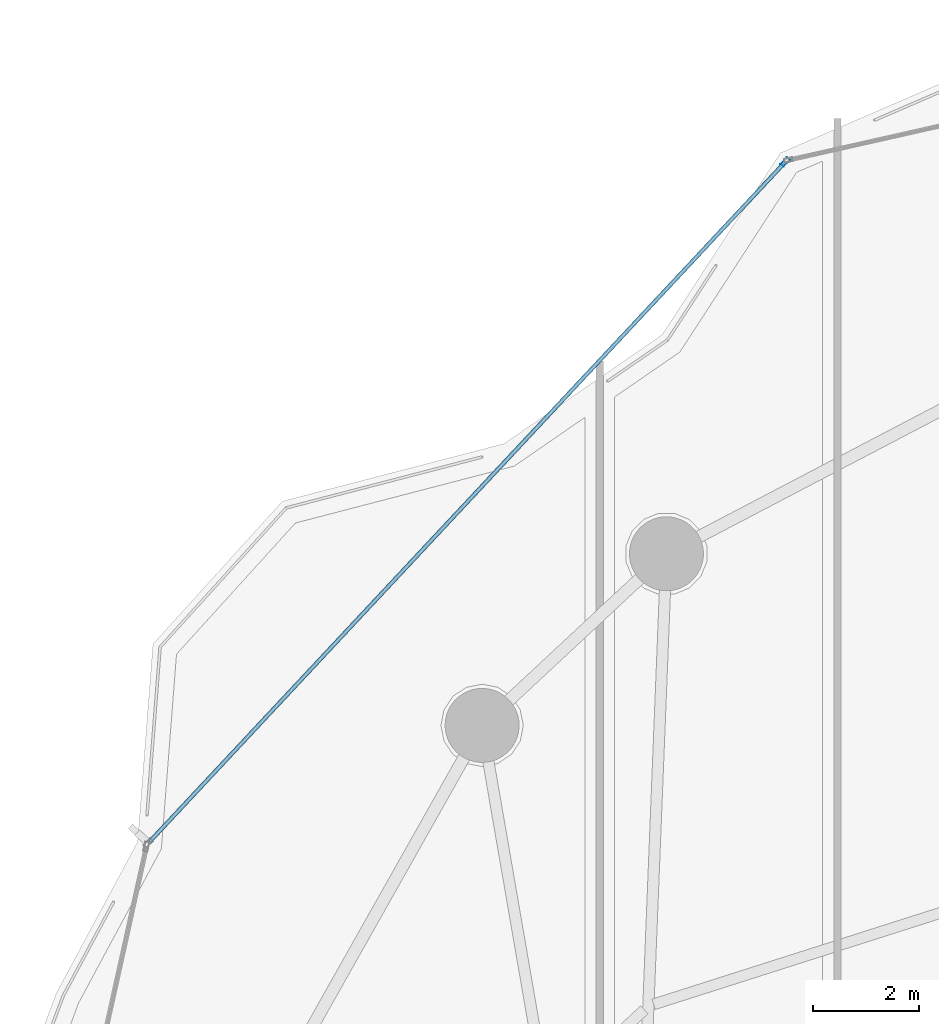
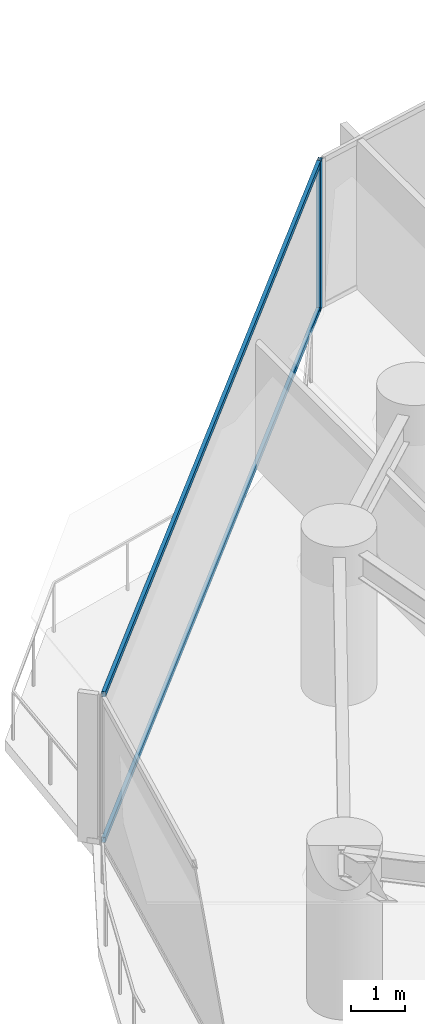
# One storey, part 16 of 33: 3 members, 1 element without a shape of its own.
"""IFC4 building model written with IfcOpenShell, lengths in metres."""

from ifc_helpers import new_model, si_unit, direction, frame, origin, origin_2d, place, context, subcontext, project, spatial, hollow_rectangle, extrude, material, layer, layer_set, material_profile, profile_set, type_object, element, aggregate, save


model = new_model("IFC4")

# Units and contexts
model_context = context("Model", 3, precision=1e-05, world=origin(), true_north=direction((0.0, 1.0)))
body_context = subcontext(model_context, "Body", "Model", "MODEL_VIEW")
ifc_project = project(units=[si_unit("LENGTHUNIT", "METRE"), si_unit("AREAUNIT", "SQUARE_METRE"), si_unit("VOLUMEUNIT", "CUBIC_METRE"), si_unit("PLANEANGLEUNIT", "RADIAN"), si_unit("MASSUNIT", "GRAM", prefix="KILO")], contexts=[model_context])

# Site, building, storey
site_placement = place(None, origin())
site = spatial("IfcSite", under=ifc_project, at=site_placement, CompositionType="ELEMENT")
building_placement = place(site_placement, origin())
building = spatial("IfcBuilding", under=site, at=building_placement, Name="Kazevale Care Tower and Concert Hall", CompositionType="ELEMENT")
storey_placement = place(building_placement, frame((0.0, 0.0, 49.199951171875)))
storey = spatial("IfcBuildingStorey", under=building, at=storey_placement, Name="L12", CompositionType="ELEMENT", Elevation=49.199951171875)

# Curtain wall, members
ifc_material_1 = material(Name="Aluminium 6063-T6 and Low-E Glass", Category="aluminium")
ifc_layer = layer(ifc_material_1, 0.179931640625)
ifc_layer_set = layer_set([ifc_layer], Name="Aluminium 6063-T6 and Low-E Glass")
curtain_wall_type = type_object("IfcCurtainWallType", Name="Convex Checkerboard Finned Curtain Wall CW-2", PredefinedType="NOTDEFINED", material=ifc_layer_set)
curtain_wall_placement = place(storey_placement, origin())
curtain_wall = element("IfcCurtainWall", 1, at=curtain_wall_placement, inside=storey, type_object=curtain_wall_type, Name="cw:L12:f14", PredefinedType="NOTDEFINED")
ifc_material_2 = material(Name="Aluminium 6063-T6", Category="aluminium")
ifc_material_profile_1 = material_profile(ifc_material_2, hollow_rectangle(XDim=0.080078125, YDim=0.179931640625, WallThickness=0.0048828125, at=origin_2d()), Name="ALU80x180x5")
ifc_profile_set_1 = profile_set([ifc_material_profile_1], Name="Aluminium 6063-T6")
member_type_1 = type_object("IfcMemberType", Name="CW-2 Mullion ALU80x180x5", PredefinedType="MULLION", material=ifc_profile_set_1)
member_1_placement = place(storey_placement, frame((25.009765625, 62.847900390625, 0.0), z_axis=(0.0, 0.0, 1.0), x_axis=(-0.730363049987, 0.683059159381, 0.0)))
member_1 = element("IfcMember", 2, at=member_1_placement, type_object=member_type_1, Name="CW-2 mullion 2", PredefinedType="MULLION", context=body_context, shape_type="SweptSolid", body=[
    extrude(hollow_rectangle(XDim=0.080078125, YDim=0.179931640625, WallThickness=0.0048828125, at=origin_2d()), origin(), (0.0, 0.0, 1.0), 3.360107421875),
])
ifc_material_profile_2 = material_profile(ifc_material_2, hollow_rectangle(XDim=0.074951171875, YDim=0.1201171875, WallThickness=0.00390625, at=origin_2d()), Name="ALU75x120x4")
ifc_profile_set_2 = profile_set([ifc_material_profile_2], Name="Aluminium 6063-T6")
member_type_2 = type_object("IfcMemberType", Name="CW-2 Transom ALU75x120x4", PredefinedType="USERDEFINED", material=ifc_profile_set_2)
member_2_placement = place(storey_placement, frame((12.9765625, 49.9814453125, 0.03759765625), z_axis=(0.68306321414, 0.730359257823, 0.0), x_axis=(-0.730359257823, 0.68306321414, 0.0)))
member_2 = element("IfcMember", 3, at=member_2_placement, type_object=member_type_2, Name="CW-2 transom 1.1", ObjectType="TRANSOM", PredefinedType="USERDEFINED", context=body_context, shape_type="SweptSolid", body=[
    extrude(hollow_rectangle(XDim=0.074951171875, YDim=0.1201171875, WallThickness=0.00390625, at=origin_2d()), origin(), (0.0, 0.0, 1.0), 17.576416015625),
])
member_3_placement = place(storey_placement, frame((12.9765625, 49.9814453125, 3.322509765625), z_axis=(0.68306321414, 0.730359257823, 0.0), x_axis=(-0.730359257823, 0.68306321414, 0.0)))
member_3 = element("IfcMember", 4, at=member_3_placement, type_object=member_type_2, Name="CW-2 transom 1.2", ObjectType="TRANSOM", PredefinedType="USERDEFINED", context=body_context, shape_type="SweptSolid", body=[
    extrude(hollow_rectangle(XDim=0.074951171875, YDim=0.1201171875, WallThickness=0.00390625, at=origin_2d()), origin(), (0.0, 0.0, 1.0), 17.576416015625),
])
aggregate(curtain_wall, [member_1, member_2, member_3])

save(model, "model.ifc")
